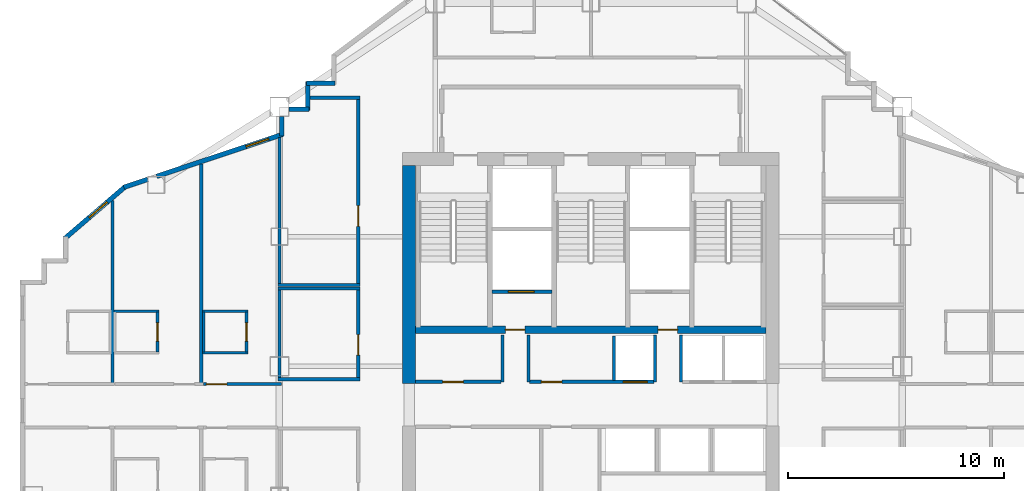
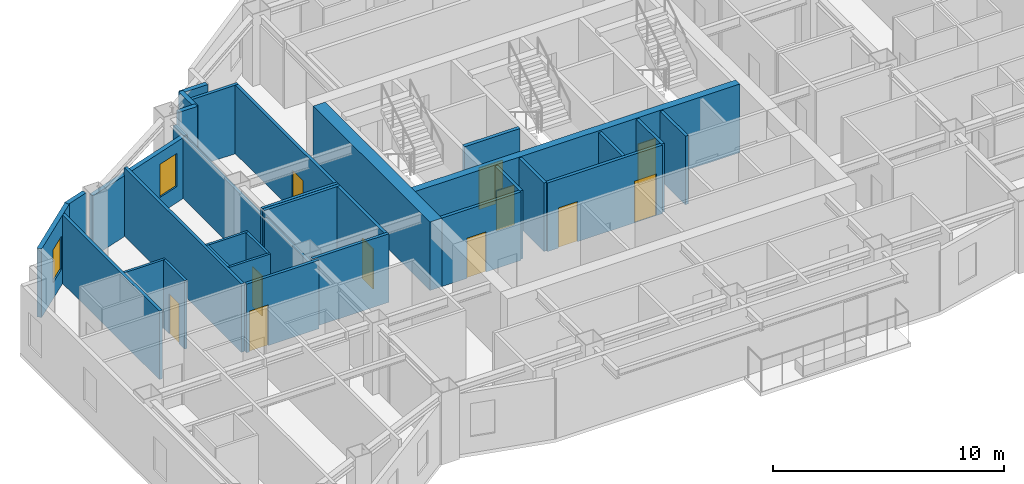
# One storey, part 6 of 11: 34 walls, 11 doors, 2 windows, 13 openings.
"""IFC4 building model written with IfcOpenShell, lengths in metres."""

from ifc_helpers import new_model, si_unit, direction, frame, frame_2d, origin, place, context, subcontext, project, spatial, rectangle, extrude, material, layer, layer_set, type_object, element, fill, save


model = new_model("IFC4")

# Units and contexts
model_context = context("Model", 3, precision=1e-05, world=origin(), true_north=direction((0.0, 1.0)))
body_context = subcontext(model_context, "Body", "Model", "MODEL_VIEW")
ifc_project = project(units=[si_unit("LENGTHUNIT", "METRE"), si_unit("AREAUNIT", "SQUARE_METRE"), si_unit("VOLUMEUNIT", "CUBIC_METRE"), si_unit("PLANEANGLEUNIT", "RADIAN"), si_unit("MASSUNIT", "GRAM", prefix="KILO")], contexts=[model_context])

# Site, building, storey
site_placement = place(None, origin())
site = spatial("IfcSite", under=ifc_project, at=site_placement, CompositionType="ELEMENT")
building_placement = place(site_placement, origin())
building = spatial("IfcBuilding", under=site, at=building_placement, Name="Haolan Belvedere Tower", CompositionType="ELEMENT")
storey_placement = place(building_placement, frame((0.0, 0.0, 223.0)))
storey = spatial("IfcBuildingStorey", under=building, at=storey_placement, Name="L56", CompositionType="ELEMENT", Elevation=223.0)

# Walls
ifc_material_1 = material(Name="Concrete C60/75", Category="concrete")
ifc_layer_1 = layer(ifc_material_1, 0.60009765625, Name="Concrete C60/75")
ifc_layer_set_1 = layer_set([ifc_layer_1], Name="Concrete C60/75")
wall_type_1 = type_object("IfcWallType", Name="WL-CORE-600", PredefinedType="SHEAR", material=ifc_layer_set_1)
wall_1_placement = place(storey_placement, frame((30.0, 32.800048828125, 0.0), z_axis=(0.0, 0.0, 1.0), x_axis=(0.0, 1.0, 0.0)))
element("IfcWall", 1, at=wall_1_placement, inside=storey, type_object=wall_type_1, Name="L56 central core shear wall WN", PredefinedType="SHEAR", context=body_context, shape_type="SweptSolid", body=[
    extrude(rectangle(XDim=10.099853515625, YDim=0.60009765625, at=frame_2d((5.0498046875, 0.0))), origin(), (0.0, 0.0, 1.0), 3.6201171875),
])
ifc_material_2 = material(Name="Precast concrete C40/50", Category="concrete")
ifc_layer_2 = layer(ifc_material_2, 0.219970703125, Name="Precast concrete C40/50")
ifc_layer_set_2 = layer_set([ifc_layer_2], Name="Precast concrete C40/50")
wall_type_2 = type_object("IfcWallType", Name="WL-EXT-220", PredefinedType="SOLIDWALL", material=ifc_layer_set_2)
for number, where, z_axis, x_axis, name in (
    (2, (26.56494140625, 46.68994140625, 0.0), (0.0, 0.0, 1.0), (-1.0, 0.0, 0.0), "L56 pale-metal exterior spandrel wall 25.1"),
    (3, (25.31005859375, 46.7451171875, 0.0), (0.0, 0.0, 1.0), (0.0, -1.0, 0.0), "L56 pale-metal exterior spandrel wall 26.1"),
):
    element("IfcWall", number, at=place(storey_placement, frame(where, z_axis=z_axis, x_axis=x_axis)), inside=storey, type_object=wall_type_2, Name=name, PredefinedType="SOLIDWALL", context=body_context, shape_type="SweptSolid", body=[
        extrude(rectangle(XDim=1.31005859375, YDim=0.219970703125, at=frame_2d((0.655029296875, 0.0))), origin(), (0.0, 0.0, 1.0), 3.6201171875),
    ])
wall_2_placement = place(storey_placement, frame((25.364990234375, 45.489990234375, 0.0), z_axis=(0.0, 0.0, 1.0), x_axis=(-1.0, 0.0, 0.0)))
element("IfcWall", 4, at=wall_2_placement, inside=storey, type_object=wall_type_2, Name="L56 pale-metal exterior spandrel wall 27.1", PredefinedType="SOLIDWALL", context=body_context, shape_type="SweptSolid", body=[
    extrude(rectangle(XDim=0.923095703125, YDim=0.219970703125, at=frame_2d((0.46142578125, 0.0))), origin(), (0.0, 0.0, 1.0), 3.6201171875),
])
wall_3_placement = place(storey_placement, frame((24.110107421875, 45.157958984375, 0.0), z_axis=(0.0, 0.0, 1.0), x_axis=(0.0, -1.0, 0.0)))
element("IfcWall", 5, at=wall_3_placement, inside=storey, type_object=wall_type_2, Name="L56 pale-metal exterior spandrel wall 28.1", PredefinedType="SOLIDWALL", context=body_context, shape_type="SweptSolid", body=[
    extrude(rectangle(XDim=0.892333984375, YDim=0.219970703125, at=frame_2d((0.4462890625, 0.0))), origin(), (0.0, 0.0, 1.0), 3.215087890625),
])

# Wall, opening, window
wall_4_placement = place(storey_placement, frame((24.162109375, 44.338134765625, 0.0), z_axis=(0.0, 0.0, 1.0), x_axis=(-0.948687265055, -0.316215864755, 0.0)))
wall_4 = element("IfcWall", 6, at=wall_4_placement, inside=storey, type_object=wall_type_2, Name="L56 pale-metal exterior spandrel wall 29.1", PredefinedType="SOLIDWALL", context=body_context, shape_type="SweptSolid", body=[
    extrude(rectangle(XDim=6.154052734375, YDim=0.219970703125, at=frame_2d((3.0771484375, 0.0))), origin(), (0.0, 0.0, 1.0), 3.215087890625),
])
opening_1_placement = place(wall_4_placement, frame((0.699951171875, 0.0, 0.85009765625)))
opening_1 = element("IfcOpeningElement", 7, at=opening_1_placement, cuts=wall_4, Name="Opening W-03", PredefinedType="OPENING", context=body_context, shape_type="SweptSolid", body=[
    extrude(rectangle(XDim=1.10009765625, YDim=1.75, at=frame_2d((0.550048828125, 0.875))), frame((0.0, 0.119873046875, 0.0), z_axis=(0.0, -1.0, 0.0), x_axis=(1.0, 0.0, 0.0)), (0.0, 0.0, 1.0), 0.239990234375),
])
ifc_material_3 = material(Name="Anodised aluminium 6063-T6 and Low-E glass", Category="aluminium")
window_type = type_object("IfcWindowType", Name="WN-DECO-Z3", PartitioningType="SINGLE_PANEL", PredefinedType="WINDOW", material=ifc_material_3)
window_1_placement = place(opening_1_placement, origin())
window_1 = element("IfcWindow", 8, at=window_1_placement, inside=storey, type_object=window_type, Name="L56 Art Deco chevron window 1", OverallHeight=1.75, OverallWidth=1.10009765625, PartitioningType="SINGLE_PANEL", PredefinedType="WINDOW", context=body_context, shape_type="SweptSolid", body=[
    extrude(rectangle(XDim=1.10009765625, YDim=1.75, at=frame_2d((0.550048828125, 0.875))), frame((0.0, 0.030029296875, 0.0), z_axis=(0.0, -1.0, 0.0), x_axis=(1.0, 0.0, 0.0)), (0.0, 0.0, 1.0), 0.06005859375),
])
fill(opening_1, window_1)

# Wall
wall_5_placement = place(storey_placement, frame((17.907958984375, 42.25341796875, 0.0), z_axis=(0.0, 0.0, 1.0), x_axis=(-0.948662335685, -0.316290646166, 0.0)))
element("IfcWall", 9, at=wall_5_placement, inside=storey, type_object=wall_type_2, Name="L56 pale-metal exterior spandrel wall 29.2", PredefinedType="SOLIDWALL", context=body_context, shape_type="SweptSolid", body=[
    extrude(rectangle(XDim=1.164794921875, YDim=0.219970703125, at=frame_2d((0.58251953125, 0.0))), origin(), (0.0, 0.0, 1.0), 3.6201171875),
])

# Wall, opening, window
wall_6_placement = place(storey_placement, frame((16.89697265625, 41.938232421875, 0.0), z_axis=(0.0, 0.0, 1.0), x_axis=(-0.759279729622, -0.650764390686, 0.0)))
wall_6 = element("IfcWall", 10, at=wall_6_placement, inside=storey, type_object=wall_type_2, Name="L56 pale-metal exterior spandrel wall 30.1", PredefinedType="SOLIDWALL", context=body_context, shape_type="SweptSolid", body=[
    extrude(rectangle(XDim=3.725830078125, YDim=0.219970703125, at=frame_2d((1.86279296875, 0.0))), origin(), (0.0, 0.0, 1.0), 3.6201171875),
])
opening_2_placement = place(wall_6_placement, frame((1.135009765625, 0.0, 0.85009765625)))
opening_2 = element("IfcOpeningElement", 11, at=opening_2_placement, cuts=wall_6, Name="Opening W-03", PredefinedType="OPENING", context=body_context, shape_type="SweptSolid", body=[
    extrude(rectangle(XDim=1.10009765625, YDim=1.75, at=frame_2d((0.550048828125, 0.875))), frame((0.0, 0.119873046875, 0.0), z_axis=(0.0, -1.0, 0.0), x_axis=(1.0, 0.0, 0.0)), (0.0, 0.0, 1.0), 0.239990234375),
])
window_2_placement = place(opening_2_placement, origin())
window_2 = element("IfcWindow", 12, at=window_2_placement, inside=storey, type_object=window_type, Name="L56 Art Deco chevron window 1", OverallHeight=1.75, OverallWidth=1.10009765625, PartitioningType="SINGLE_PANEL", PredefinedType="WINDOW", context=body_context, shape_type="SweptSolid", body=[
    extrude(rectangle(XDim=1.10009765625, YDim=1.75, at=frame_2d((0.550048828125, 0.875))), frame((0.0, 0.030029296875, 0.0), z_axis=(0.0, -1.0, 0.0), x_axis=(1.0, 0.0, 0.0)), (0.0, 0.0, 1.0), 0.06005859375),
])
fill(opening_2, window_2)

# Walls
ifc_material_4 = material(Name="Double gypsum acoustic stud partition", Category="masonry")
ifc_layer_3 = layer(ifc_material_4, 0.14990234375, Name="Double gypsum acoustic stud partition")
ifc_layer_set_3 = layer_set([ifc_layer_3], Name="Double gypsum acoustic stud partition")
wall_type_3 = type_object("IfcWallType", Name="WL-PART-150", PredefinedType="PARTITIONING", material=ifc_layer_set_3)
for number, where, z_axis, x_axis, name in (
    (13, (23.919921875, 37.199951171875, 0.0), (0.0, 0.0, 1.0), (1.0, 0.0, 0.0), "L56 interior partition IW-L56-HSK-N"),
    (14, (23.919921875, 33.0, 0.0), (0.0, 0.0, 1.0), (1.0, 0.0, 0.0), "L56 interior partition IW-L56-HSK-S"),
):
    element("IfcWall", number, at=place(storey_placement, frame(where, z_axis=z_axis, x_axis=x_axis)), inside=storey, type_object=wall_type_3, Name=name, PredefinedType="PARTITIONING", context=body_context, shape_type="SweptSolid", body=[
        extrude(rectangle(XDim=3.800048828125, YDim=0.14990234375, at=frame_2d((1.89990234375, 0.0))), origin(), (0.0, 0.0, 1.0), 3.6201171875),
    ])
wall_7_placement = place(storey_placement, frame((24.0, 33.06005859375, 0.0), z_axis=(0.0, 0.0, 1.0), x_axis=(0.0, 1.0, 0.0)))
element("IfcWall", 15, at=wall_7_placement, inside=storey, type_object=wall_type_3, Name="L56 interior partition IW-L56-HSK-W", PredefinedType="PARTITIONING", context=body_context, shape_type="SweptSolid", body=[
    extrude(rectangle(XDim=4.079833984375, YDim=0.14990234375, at=frame_2d((2.0400390625, 0.0))), origin(), (0.0, 0.0, 1.0), 3.215087890625),
])

# Wall, opening, door
wall_8_placement = place(storey_placement, frame((27.639892578125, 33.06005859375, 0.0), z_axis=(0.0, 0.0, 1.0), x_axis=(0.0, 1.0, 0.0)))
wall_8 = element("IfcWall", 16, at=wall_8_placement, inside=storey, type_object=wall_type_3, Name="L56 interior partition IW-L56-HSK-E", PredefinedType="PARTITIONING", context=body_context, shape_type="SweptSolid", body=[
    extrude(rectangle(XDim=4.079833984375, YDim=0.14990234375, at=frame_2d((2.0400390625, 0.0))), origin(), (0.0, 0.0, 1.0), 3.6201171875),
])
opening_3_placement = place(wall_8_placement, frame((2.010009765625, 0.0, 0.0), z_axis=(0.0, 0.0, 1.0), x_axis=(-1.0, 0.0, 0.0)))
opening_3 = element("IfcOpeningElement", 17, at=opening_3_placement, cuts=wall_8, Name="Opening ID-03", PredefinedType="OPENING", context=body_context, shape_type="SweptSolid", body=[
    extrude(rectangle(XDim=0.949951171875, YDim=2.1201171875, at=frame_2d((0.47509765625, 1.06005859375))), frame((0.0, 0.0849609375, 0.0), z_axis=(0.0, -1.0, 0.0), x_axis=(1.0, 0.0, 0.0)), (0.0, 0.0, 1.0), 0.169921875),
])
ifc_material_5 = material(Name="Painted solid-core timber", Category="wood")
door_type_1 = type_object("IfcDoorType", Name="DR-INT-950", OperationType="NOTDEFINED", PredefinedType="DOOR", material=ifc_material_5)
door_1_placement = place(opening_3_placement, origin())
door_1 = element("IfcDoor", 18, at=door_1_placement, inside=storey, type_object=door_type_1, Name="L56 door ID-L56-HSK", OperationType="SINGLE_SWING_LEFT", OverallHeight=2.1201171875, OverallWidth=0.949951171875, PredefinedType="DOOR", context=body_context, shape_type="SweptSolid", body=[
    extrude(rectangle(XDim=0.949951171875, YDim=2.1201171875, at=frame_2d((0.47509765625, 1.06005859375))), frame((0.0, 0.02490234375, 0.0), z_axis=(0.0, -1.0, 0.0), x_axis=(1.0, 0.0, 0.0)), (0.0, 0.0, 1.0), 0.050048828125),
])
fill(opening_3, door_1)

# Walls
wall_9_placement = place(storey_placement, frame((25.412109375, 46.02001953125, 0.0), z_axis=(0.0, 0.0, 1.0), x_axis=(1.0, 0.0, 0.0)))
element("IfcWall", 19, at=wall_9_placement, inside=storey, type_object=wall_type_3, Name="L56 interior partition IW-L56-MTG-N", PredefinedType="PARTITIONING", context=body_context, shape_type="SweptSolid", body=[
    extrude(rectangle(XDim=2.307861328125, YDim=0.14990234375, at=frame_2d((1.15380859375, 0.0))), origin(), (0.0, 0.0, 1.0), 3.6201171875),
])
wall_10_placement = place(storey_placement, frame((23.919921875, 37.360107421875, 0.0), z_axis=(0.0, 0.0, 1.0), x_axis=(1.0, 0.0, 0.0)))
element("IfcWall", 20, at=wall_10_placement, inside=storey, type_object=wall_type_3, Name="L56 interior partition IW-L56-MTG-S", PredefinedType="PARTITIONING", context=body_context, shape_type="SweptSolid", body=[
    extrude(rectangle(XDim=3.800048828125, YDim=0.14990234375, at=frame_2d((1.89990234375, 0.0))), origin(), (0.0, 0.0, 1.0), 3.6201171875),
])
wall_11_placement = place(storey_placement, frame((24.0, 37.419921875, 0.0), z_axis=(0.0, 0.0, 1.0), x_axis=(0.0, 1.0, 0.0)))
element("IfcWall", 21, at=wall_11_placement, inside=storey, type_object=wall_type_3, Name="L56 interior partition IW-L56-MTG-W", PredefinedType="PARTITIONING", context=body_context, shape_type="SweptSolid", body=[
    extrude(rectangle(XDim=6.756591796875, YDim=0.14990234375, at=frame_2d((3.37841796875, 0.0))), origin(), (0.0, 0.0, 1.0), 3.215087890625),
])

# Wall, opening, door
wall_12_placement = place(storey_placement, frame((27.639892578125, 37.419921875, 0.0), z_axis=(0.0, 0.0, 1.0), x_axis=(0.0, 1.0, 0.0)))
wall_12 = element("IfcWall", 22, at=wall_12_placement, inside=storey, type_object=wall_type_3, Name="L56 interior partition IW-L56-MTG-E", PredefinedType="PARTITIONING", context=body_context, shape_type="SweptSolid", body=[
    extrude(rectangle(XDim=8.5400390625, YDim=0.14990234375, at=frame_2d((4.27001953125, 0.0))), origin(), (0.0, 0.0, 1.0), 3.6201171875),
])
opening_4_placement = place(wall_12_placement, frame((3.60986328125, 0.0, 0.0), z_axis=(0.0, 0.0, 1.0), x_axis=(-1.0, 0.0, 0.0)))
opening_4 = element("IfcOpeningElement", 23, at=opening_4_placement, cuts=wall_12, Name="Opening ID-03", PredefinedType="OPENING", context=body_context, shape_type="SweptSolid", body=[
    extrude(rectangle(XDim=0.949951171875, YDim=2.1201171875, at=frame_2d((0.47509765625, 1.06005859375))), frame((0.0, 0.0849609375, 0.0), z_axis=(0.0, -1.0, 0.0), x_axis=(1.0, 0.0, 0.0)), (0.0, 0.0, 1.0), 0.169921875),
])
door_2_placement = place(opening_4_placement, origin())
door_2 = element("IfcDoor", 24, at=door_2_placement, inside=storey, type_object=door_type_1, Name="L56 door ID-L56-MTG", OperationType="SINGLE_SWING_RIGHT", OverallHeight=2.1201171875, OverallWidth=0.949951171875, PredefinedType="DOOR", context=body_context, shape_type="SweptSolid", body=[
    extrude(rectangle(XDim=0.949951171875, YDim=2.1201171875, at=frame_2d((0.47509765625, 1.06005859375))), frame((0.0, 0.02490234375, 0.0), z_axis=(0.0, -1.0, 0.0), x_axis=(1.0, 0.0, 0.0)), (0.0, 0.0, 1.0), 0.050048828125),
])
fill(opening_4, door_2)

# Walls
wall_13_placement = place(storey_placement, frame((16.280029296875, 32.840087890625, 0.0), z_axis=(0.0, 0.0, 1.0), x_axis=(0.0, 1.0, 0.0)))
element("IfcWall", 25, at=wall_13_placement, inside=storey, type_object=wall_type_3, Name="L56 interior partition IW-L56-T2N1-E", PredefinedType="PARTITIONING", context=body_context, shape_type="SweptSolid", body=[
    extrude(rectangle(XDim=8.43505859375, YDim=0.14990234375, at=frame_2d((4.217529296875, 0.0))), origin(), (0.0, 0.0, 1.0), 3.6201171875),
])
wall_14_placement = place(storey_placement, frame((20.3798828125, 32.840087890625, 0.0), z_axis=(0.0, 0.0, 1.0), x_axis=(0.0, 1.0, 0.0)))
element("IfcWall", 26, at=wall_14_placement, inside=storey, type_object=wall_type_3, Name="L56 interior partition IW-L56-T2N2-E", PredefinedType="PARTITIONING", context=body_context, shape_type="SweptSolid", body=[
    extrude(rectangle(XDim=10.1298828125, YDim=0.14990234375, at=frame_2d((5.06494140625, 0.0))), origin(), (0.0, 0.0, 1.0), 3.6201171875),
])

# Wall, opening, door
wall_15_placement = place(storey_placement, frame((20.48193359375, 32.780029296875, 0.0), z_axis=(0.0, 0.0, 1.0), x_axis=(1.0, 0.0, 0.0)))
wall_15 = element("IfcWall", 27, at=wall_15_placement, inside=storey, type_object=wall_type_3, Name="L56 interior partition IW-L56-T2N3-S", PredefinedType="PARTITIONING", context=body_context, shape_type="SweptSolid", body=[
    extrude(rectangle(XDim=3.6181640625, YDim=0.14990234375, at=frame_2d((1.80908203125, 0.0))), origin(), (0.0, 0.0, 1.0), 3.6201171875),
])
opening_5_placement = place(wall_15_placement, frame((0.139892578125, 0.0, 0.0)))
opening_5 = element("IfcOpeningElement", 28, at=opening_5_placement, cuts=wall_15, Name="Opening ID-02", PredefinedType="OPENING", context=body_context, shape_type="SweptSolid", body=[
    extrude(rectangle(XDim=0.949951171875, YDim=2.14990234375, at=frame_2d((0.47509765625, 1.074951171875))), frame((0.0, 0.0849609375, 0.0), z_axis=(0.0, -1.0, 0.0), x_axis=(1.0, 0.0, 0.0)), (0.0, 0.0, 1.0), 0.169921875),
])
ifc_material_6 = material(Name="Acoustic oak veneer fire-rated timber", Category="wood")
door_type_2 = type_object("IfcDoorType", Name="DR-GUEST-950", OperationType="NOTDEFINED", PredefinedType="DOOR", material=ifc_material_6)
door_3_placement = place(opening_5_placement, origin())
door_3 = element("IfcDoor", 29, at=door_3_placement, inside=storey, type_object=door_type_2, Name="L56 door ID-L56-T2N3-ENT", OperationType="SINGLE_SWING_RIGHT", OverallHeight=2.14990234375, OverallWidth=0.949951171875, PredefinedType="DOOR", context=body_context, shape_type="SweptSolid", body=[
    extrude(rectangle(XDim=0.949951171875, YDim=2.14990234375, at=frame_2d((0.47509765625, 1.074951171875))), frame((0.0, 0.02490234375, 0.0), z_axis=(0.0, -1.0, 0.0), x_axis=(1.0, 0.0, 0.0)), (0.0, 0.0, 1.0), 0.050048828125),
])
fill(opening_5, door_3)

# Walls
ifc_material_7 = material(Name="Gypsum fire shaftwall assembly", Category="masonry")
ifc_layer_4 = layer(ifc_material_7, 0.1650390625, Name="Gypsum fire shaftwall assembly")
ifc_layer_set_4 = layer_set([ifc_layer_4], Name="Gypsum fire shaftwall assembly")
wall_type_4 = type_object("IfcWallType", Name="WL-SHAFT-160", PredefinedType="SOLIDWALL", material=ifc_layer_set_4)
for number, where, z_axis, x_axis, name in (
    (30, (34.31005859375, 32.8798828125, 0.0), (0.0, 0.0, 1.0), (0.0, 1.0, 0.0), "L56 interior partition IW-L56-SVP-W-SV1"),
    (31, (35.510009765625, 32.8798828125, 0.0), (0.0, 0.0, 1.0), (0.0, 1.0, 0.0), "L56 interior partition IW-L56-SVP-E-SV1"),
    (32, (41.3701171875, 32.8798828125, 0.0), (0.0, 0.0, 1.0), (0.0, 1.0, 0.0), "L56 interior partition IW-L56-SVP-W-SV2"),
    (33, (42.570068359375, 32.8798828125, 0.0), (0.0, 0.0, 1.0), (0.0, 1.0, 0.0), "L56 interior partition IW-L56-SVP-E-SV2"),
):
    element("IfcWall", number, at=place(storey_placement, frame(where, z_axis=z_axis, x_axis=x_axis)), inside=storey, type_object=wall_type_4, Name=name, PredefinedType="SOLIDWALL", context=body_context, shape_type="SweptSolid", body=[
        extrude(rectangle(XDim=2.170166015625, YDim=0.14990234375, at=frame_2d((1.0849609375, 0.0))), origin(), (0.0, 0.0, 1.0), 3.6201171875),
    ])

# Wall, opening, door
wall_16_placement = place(storey_placement, frame((30.300048828125, 32.8798828125, 0.0), z_axis=(0.0, 0.0, 1.0), x_axis=(1.0, 0.0, 0.0)))
wall_16 = element("IfcWall", 34, at=wall_16_placement, inside=storey, type_object=wall_type_4, Name="L56 interior partition IW-L56-ROW-PN1", PredefinedType="SOLIDWALL", context=body_context, shape_type="SweptSolid", body=[
    extrude(rectangle(XDim=3.949951171875, YDim=0.159912109375, at=frame_2d((1.97509765625, 0.0))), origin(), (0.0, 0.0, 1.0), 3.6201171875),
])
opening_6_placement = place(wall_16_placement, frame((2.199951171875, 0.0, 0.0), z_axis=(0.0, 0.0, 1.0), x_axis=(-1.0, 0.0, 0.0)))
opening_6 = element("IfcOpeningElement", 35, at=opening_6_placement, cuts=wall_16, Name="Opening ID-03", PredefinedType="OPENING", context=body_context, shape_type="SweptSolid", body=[
    extrude(rectangle(XDim=0.949951171875, YDim=2.1201171875, at=frame_2d((0.47509765625, 1.06005859375))), frame((0.0, 0.08984375, 0.0), z_axis=(0.0, -1.0, 0.0), x_axis=(1.0, 0.0, 0.0)), (0.0, 0.0, 1.0), 0.179931640625),
])
door_4_placement = place(opening_6_placement, origin())
door_4 = element("IfcDoor", 36, at=door_4_placement, inside=storey, type_object=door_type_1, Name="L56 door ID-L56-CD-RPLW", OperationType="SINGLE_SWING_LEFT", OverallHeight=2.1201171875, OverallWidth=0.949951171875, PredefinedType="DOOR", context=body_context, shape_type="SweptSolid", body=[
    extrude(rectangle(XDim=0.949951171875, YDim=2.1201171875, at=frame_2d((0.47509765625, 1.06005859375))), frame((0.0, 0.02490234375, 0.0), z_axis=(0.0, -1.0, 0.0), x_axis=(1.0, 0.0, 0.0)), (0.0, 0.0, 1.0), 0.050048828125),
])
fill(opening_6, door_4)

# Wall, openings, doors
wall_17_placement = place(storey_placement, frame((35.570068359375, 32.8798828125, 0.0), z_axis=(0.0, 0.0, 1.0), x_axis=(1.0, 0.0, 0.0)))
wall_17 = element("IfcWall", 37, at=wall_17_placement, inside=storey, type_object=wall_type_4, Name="L56 interior partition IW-L56-ROW-PN2", PredefinedType="SOLIDWALL", context=body_context, shape_type="SweptSolid", body=[
    extrude(rectangle(XDim=5.739990234375, YDim=0.159912109375, at=frame_2d((2.8701171875, 0.0))), origin(), (0.0, 0.0, 1.0), 3.6201171875),
])
opening_7_placement = place(wall_17_placement, frame((1.489990234375, 0.0, 0.0), z_axis=(0.0, 0.0, 1.0), x_axis=(-1.0, 0.0, 0.0)))
opening_7 = element("IfcOpeningElement", 38, at=opening_7_placement, cuts=wall_17, Name="Opening ID-03", PredefinedType="OPENING", context=body_context, shape_type="SweptSolid", body=[
    extrude(rectangle(XDim=0.949951171875, YDim=2.1201171875, at=frame_2d((0.47509765625, 1.06005859375))), frame((0.0, 0.08984375, 0.0), z_axis=(0.0, -1.0, 0.0), x_axis=(1.0, 0.0, 0.0)), (0.0, 0.0, 1.0), 0.179931640625),
])
opening_8_placement = place(wall_17_placement, frame((5.43017578125, 0.0, 0.0), z_axis=(0.0, 0.0, 1.0), x_axis=(-1.0, 0.0, 0.0)))
opening_8 = element("IfcOpeningElement", 39, at=opening_8_placement, cuts=wall_17, Name="Opening LD-01", PredefinedType="OPENING", context=body_context, shape_type="SweptSolid", body=[
    extrude(rectangle(XDim=1.10009765625, YDim=2.199951171875, at=frame_2d((0.550048828125, 1.10009765625))), frame((0.0, 0.08984375, 0.0), z_axis=(0.0, -1.0, 0.0), x_axis=(1.0, 0.0, 0.0)), (0.0, 0.0, 1.0), 0.179931640625),
])
door_5_placement = place(opening_7_placement, origin())
door_5 = element("IfcDoor", 40, at=door_5_placement, inside=storey, type_object=door_type_1, Name="L56 door ID-L56-CD-RPLE", OperationType="SINGLE_SWING_RIGHT", OverallHeight=2.1201171875, OverallWidth=0.949951171875, PredefinedType="DOOR", context=body_context, shape_type="SweptSolid", body=[
    extrude(rectangle(XDim=0.949951171875, YDim=2.1201171875, at=frame_2d((0.47509765625, 1.06005859375))), frame((0.0, 0.02490234375, 0.0), z_axis=(0.0, -1.0, 0.0), x_axis=(1.0, 0.0, 0.0)), (0.0, 0.0, 1.0), 0.050048828125),
])
fill(opening_7, door_5)
ifc_material_8 = material(Name="Brushed champagne stainless steel 316L", Category="steel")
door_type_3 = type_object("IfcDoorType", Name="DR-LIFT-1100", OperationType="SLIDING_TO_LEFT", PredefinedType="DOOR", material=ifc_material_8)
door_6_placement = place(opening_8_placement, origin())
door_6 = element("IfcDoor", 41, at=door_6_placement, inside=storey, type_object=door_type_3, Name="L56 door ID-L56-LD-PH1", OperationType="SLIDING_TO_RIGHT", OverallHeight=2.199951171875, OverallWidth=1.10009765625, PredefinedType="DOOR", context=body_context, shape_type="SweptSolid", body=[
    extrude(rectangle(XDim=1.10009765625, YDim=2.199951171875, at=frame_2d((0.550048828125, 1.10009765625))), frame((0.0, 0.02490234375, 0.0), z_axis=(0.0, -1.0, 0.0), x_axis=(1.0, 0.0, 0.0)), (0.0, 0.0, 1.0), 0.050048828125),
])
fill(opening_8, door_6)

# Wall
wall_18_placement = place(storey_placement, frame((39.469970703125, 32.949951171875, 0.0), z_axis=(0.0, 0.0, 1.0), x_axis=(0.0, 1.0, 0.0)))
element("IfcWall", 42, at=wall_18_placement, inside=storey, type_object=wall_type_4, Name="L56 interior partition IW-L56-DIV-PL4R", PredefinedType="SOLIDWALL", context=body_context, shape_type="SweptSolid", body=[
    extrude(rectangle(XDim=2.050048828125, YDim=0.14990234375, at=frame_2d((1.02490234375, 0.0))), origin(), (0.0, 0.0, 1.0), 3.6201171875),
])

# Wall, opening, door
ifc_layer_5 = layer(ifc_material_2, 0.179931640625, Name="Precast concrete C40/50")
ifc_layer_set_5 = layer_set([ifc_layer_5], Name="Precast concrete C40/50")
wall_type_5 = type_object("IfcWallType", Name="WL-SHAFT-180", PredefinedType="SOLIDWALL", material=ifc_layer_set_5)
wall_19_placement = place(storey_placement, frame((33.8349609375, 37.050048828125, 0.0), z_axis=(0.0, 0.0, 1.0), x_axis=(1.0, 0.0, 0.0)))
wall_19 = element("IfcWall", 43, at=wall_19_placement, inside=storey, type_object=wall_type_5, Name="L56 interior partition IW-L56-SV1-S", PredefinedType="SOLIDWALL", context=body_context, shape_type="SweptSolid", body=[
    extrude(rectangle(XDim=2.77001953125, YDim=0.179931640625, at=frame_2d((1.385009765625, 0.0))), origin(), (0.0, 0.0, 1.0), 3.6201171875),
])
opening_9_placement = place(wall_19_placement, frame((1.945068359375, 0.0, 0.0), z_axis=(0.0, 0.0, 1.0), x_axis=(-1.0, 0.0, 0.0)))
opening_9 = element("IfcOpeningElement", 44, at=opening_9_placement, cuts=wall_19, Name="Opening LD-02", PredefinedType="OPENING", context=body_context, shape_type="SweptSolid", body=[
    extrude(rectangle(XDim=1.199951171875, YDim=2.199951171875, at=frame_2d((0.60009765625, 1.10009765625))), frame((0.0, 0.099853515625, 0.0), z_axis=(0.0, -1.0, 0.0), x_axis=(1.0, 0.0, 0.0)), (0.0, 0.0, 1.0), 0.199951171875),
])
door_type_4 = type_object("IfcDoorType", Name="DR-LIFT-1200", OperationType="SLIDING_TO_RIGHT", PredefinedType="DOOR", material=ifc_material_8)
door_7_placement = place(opening_9_placement, origin())
door_7 = element("IfcDoor", 45, at=door_7_placement, inside=storey, type_object=door_type_4, Name="L56 door ID-L56-LD-SV1", OperationType="SLIDING_TO_RIGHT", OverallHeight=2.199951171875, OverallWidth=1.199951171875, PredefinedType="DOOR", context=body_context, shape_type="SweptSolid", body=[
    extrude(rectangle(XDim=1.199951171875, YDim=2.199951171875, at=frame_2d((0.60009765625, 1.10009765625))), frame((0.0, 0.02490234375, 0.0), z_axis=(0.0, -1.0, 0.0), x_axis=(1.0, 0.0, 0.0)), (0.0, 0.0, 1.0), 0.050048828125),
])
fill(opening_9, door_7)

# Wall, openings, doors
ifc_layer_6 = layer(ifc_material_1, 0.360107421875, Name="Concrete C60/75")
ifc_layer_set_6 = layer_set([ifc_layer_6], Name="Concrete C60/75")
wall_type_6 = type_object("IfcWallType", Name="WL-WEB-350", PredefinedType="SHEAR", material=ifc_layer_set_6)
wall_20_placement = place(storey_placement, frame((30.300048828125, 35.2900390625, 0.0), z_axis=(0.0, 0.0, 1.0), x_axis=(1.0, 0.0, 0.0)))
wall_20 = element("IfcWall", 46, at=wall_20_placement, inside=storey, type_object=wall_type_6, Name="L56 central core internal shear web", PredefinedType="SHEAR", context=body_context, shape_type="SweptSolid", body=[
    extrude(rectangle(XDim=16.199951171875, YDim=0.360107421875, at=frame_2d((8.10009765625, 0.0))), origin(), (0.0, 0.0, 1.0), 3.6201171875),
])
opening_10_placement = place(wall_20_placement, frame((5.0498046875, 0.0, 0.0), z_axis=(0.0, 0.0, 1.0), x_axis=(-1.0, 0.0, 0.0)))
opening_10 = element("IfcOpeningElement", 47, at=opening_10_placement, cuts=wall_20, Name="Opening FD-05", PredefinedType="OPENING", context=body_context, shape_type="SweptSolid", body=[
    extrude(rectangle(XDim=0.89990234375, YDim=2.10009765625, at=frame_2d((0.449951171875, 1.050048828125))), frame((0.0, 0.18994140625, 0.0), z_axis=(0.0, -1.0, 0.0), x_axis=(1.0, 0.0, 0.0)), (0.0, 0.0, 1.0), 0.380126953125),
])
opening_11_placement = place(wall_20_placement, frame((12.10986328125, 0.0, 0.0), z_axis=(0.0, 0.0, 1.0), x_axis=(-1.0, 0.0, 0.0)))
opening_11 = element("IfcOpeningElement", 48, at=opening_11_placement, cuts=wall_20, Name="Opening FD-05", PredefinedType="OPENING", context=body_context, shape_type="SweptSolid", body=[
    extrude(rectangle(XDim=0.89990234375, YDim=2.10009765625, at=frame_2d((0.449951171875, 1.050048828125))), frame((0.0, 0.18994140625, 0.0), z_axis=(0.0, -1.0, 0.0), x_axis=(1.0, 0.0, 0.0)), (0.0, 0.0, 1.0), 0.380126953125),
])
ifc_material_9 = material(Name="Galvanised fire-rated steel", Category="steel")
door_type_5 = type_object("IfcDoorType", Name="DR-FD60-900", OperationType="NOTDEFINED", PredefinedType="DOOR", material=ifc_material_9)
door_8_placement = place(opening_10_placement, origin())
door_8 = element("IfcDoor", 49, at=door_8_placement, inside=storey, type_object=door_type_5, Name="L56 door CD-L56-SVL-SV1", OperationType="SINGLE_SWING_RIGHT", OverallHeight=2.10009765625, OverallWidth=0.89990234375, PredefinedType="DOOR", context=body_context, shape_type="SweptSolid", body=[
    extrude(rectangle(XDim=0.89990234375, YDim=2.10009765625, at=frame_2d((0.449951171875, 1.050048828125))), frame((0.0, 0.02490234375, 0.0), z_axis=(0.0, -1.0, 0.0), x_axis=(1.0, 0.0, 0.0)), (0.0, 0.0, 1.0), 0.050048828125),
])
fill(opening_10, door_8)
door_9_placement = place(opening_11_placement, origin())
door_9 = element("IfcDoor", 50, at=door_9_placement, inside=storey, type_object=door_type_5, Name="L56 door CD-L56-SVL-SV2", OperationType="SINGLE_SWING_RIGHT", OverallHeight=2.10009765625, OverallWidth=0.89990234375, PredefinedType="DOOR", context=body_context, shape_type="SweptSolid", body=[
    extrude(rectangle(XDim=0.89990234375, YDim=2.10009765625, at=frame_2d((0.449951171875, 1.050048828125))), frame((0.0, 0.02490234375, 0.0), z_axis=(0.0, -1.0, 0.0), x_axis=(1.0, 0.0, 0.0)), (0.0, 0.0, 1.0), 0.050048828125),
])
fill(opening_11, door_9)

# Wall
ifc_material_10 = material(Name="Moisture-resistant gypsum tile partition", Category="masonry")
ifc_layer_7 = layer(ifc_material_10, 0.1201171875, Name="Moisture-resistant gypsum tile partition")
ifc_layer_set_7 = layer_set([ifc_layer_7], Name="Moisture-resistant gypsum tile partition")
wall_type_7 = type_object("IfcWallType", Name="WL-WET-120", PredefinedType="PARTITIONING", material=ifc_layer_set_7)
wall_21_placement = place(storey_placement, frame((16.340087890625, 36.14990234375, 0.0), z_axis=(0.0, 0.0, 1.0), x_axis=(1.0, 0.0, 0.0)))
element("IfcWall", 51, at=wall_21_placement, inside=storey, type_object=wall_type_7, Name="L56 interior partition IW-L56-T2N2-BN", PredefinedType="PARTITIONING", context=body_context, shape_type="SweptSolid", body=[
    extrude(rectangle(XDim=2.079833984375, YDim=0.1201171875, at=frame_2d((1.0400390625, 0.0))), origin(), (0.0, 0.0, 1.0), 3.6201171875),
])

# Wall, opening, door
wall_22_placement = place(storey_placement, frame((18.360107421875, 34.27490234375, 0.0), z_axis=(0.0, 0.0, 1.0), x_axis=(0.0, 1.0, 0.0)))
wall_22 = element("IfcWall", 52, at=wall_22_placement, inside=storey, type_object=wall_type_7, Name="L56 interior partition IW-L56-T2N2-BE", PredefinedType="PARTITIONING", context=body_context, shape_type="SweptSolid", body=[
    extrude(rectangle(XDim=1.830078125, YDim=0.1201171875, at=frame_2d((0.9150390625, 0.0))), origin(), (0.0, 0.0, 1.0), 3.6201171875),
])
opening_12_placement = place(wall_22_placement, frame((0.489990234375, 0.0, 0.0)))
opening_12 = element("IfcOpeningElement", 53, at=opening_12_placement, cuts=wall_22, Name="Opening ID-05", PredefinedType="OPENING", context=body_context, shape_type="SweptSolid", body=[
    extrude(rectangle(XDim=0.85009765625, YDim=2.10009765625, at=frame_2d((0.425048828125, 1.050048828125))), frame((0.0, 0.070068359375, 0.0), z_axis=(0.0, -1.0, 0.0), x_axis=(1.0, 0.0, 0.0)), (0.0, 0.0, 1.0), 0.14013671875),
])
ifc_material_11 = material(Name="Moisture-resistant lacquered timber", Category="wood")
door_type_6 = type_object("IfcDoorType", Name="DR-BATH-850", OperationType="NOTDEFINED", PredefinedType="DOOR", material=ifc_material_11)
door_10_placement = place(opening_12_placement, origin())
door_10 = element("IfcDoor", 54, at=door_10_placement, inside=storey, type_object=door_type_6, Name="L56 door ID-L56-T2N2-BATH", OperationType="SINGLE_SWING_RIGHT", OverallHeight=2.10009765625, OverallWidth=0.85009765625, PredefinedType="DOOR", context=body_context, shape_type="SweptSolid", body=[
    extrude(rectangle(XDim=0.85009765625, YDim=2.10009765625, at=frame_2d((0.425048828125, 1.050048828125))), frame((0.0, 0.02490234375, 0.0), z_axis=(0.0, -1.0, 0.0), x_axis=(1.0, 0.0, 0.0)), (0.0, 0.0, 1.0), 0.050048828125),
])
fill(opening_12, door_10)

# Walls
for number, where, z_axis, x_axis, name in (
    (55, (20.43994140625, 36.14990234375, 0.0), (0.0, 0.0, 1.0), (1.0, 0.0, 0.0), "L56 interior partition IW-L56-T2N3-BN"),
    (56, (20.43994140625, 34.22998046875, 0.0), (0.0, 0.0, 1.0), (1.0, 0.0, 0.0), "L56 interior partition IW-L56-T2N3-BS"),
):
    element("IfcWall", number, at=place(storey_placement, frame(where, z_axis=z_axis, x_axis=x_axis)), inside=storey, type_object=wall_type_7, Name=name, PredefinedType="PARTITIONING", context=body_context, shape_type="SweptSolid", body=[
        extrude(rectangle(XDim=2.09423828125, YDim=0.1201171875, at=frame_2d((1.047119140625, 0.0))), origin(), (0.0, 0.0, 1.0), 3.6201171875),
    ])
wall_23_placement = place(storey_placement, frame((20.494140625, 34.27490234375, 0.0), z_axis=(0.0, 0.0, 1.0), x_axis=(0.0, 1.0, 0.0)))
element("IfcWall", 57, at=wall_23_placement, inside=storey, type_object=wall_type_7, Name="L56 interior partition IW-L56-T2N3-BW", PredefinedType="PARTITIONING", context=body_context, shape_type="SweptSolid", body=[
    extrude(rectangle(XDim=1.830078125, YDim=0.1201171875, at=frame_2d((0.9150390625, 0.0))), origin(), (0.0, 0.0, 1.0), 3.6201171875),
])

# Wall, opening, door
wall_24_placement = place(storey_placement, frame((22.47412109375, 34.27490234375, 0.0), z_axis=(0.0, 0.0, 1.0), x_axis=(0.0, 1.0, 0.0)))
wall_24 = element("IfcWall", 58, at=wall_24_placement, inside=storey, type_object=wall_type_7, Name="L56 interior partition IW-L56-T2N3-BE", PredefinedType="PARTITIONING", context=body_context, shape_type="SweptSolid", body=[
    extrude(rectangle(XDim=1.830078125, YDim=0.1201171875, at=frame_2d((0.9150390625, 0.0))), origin(), (0.0, 0.0, 1.0), 3.6201171875),
])
opening_13_placement = place(wall_24_placement, frame((0.489990234375, 0.0, 0.0)))
opening_13 = element("IfcOpeningElement", 59, at=opening_13_placement, cuts=wall_24, Name="Opening ID-05", PredefinedType="OPENING", context=body_context, shape_type="SweptSolid", body=[
    extrude(rectangle(XDim=0.85009765625, YDim=2.10009765625, at=frame_2d((0.425048828125, 1.050048828125))), frame((0.0, 0.070068359375, 0.0), z_axis=(0.0, -1.0, 0.0), x_axis=(1.0, 0.0, 0.0)), (0.0, 0.0, 1.0), 0.14013671875),
])
door_11_placement = place(opening_13_placement, origin())
door_11 = element("IfcDoor", 60, at=door_11_placement, inside=storey, type_object=door_type_6, Name="L56 door ID-L56-T2N3-BATH", OperationType="SINGLE_SWING_LEFT", OverallHeight=2.10009765625, OverallWidth=0.85009765625, PredefinedType="DOOR", context=body_context, shape_type="SweptSolid", body=[
    extrude(rectangle(XDim=0.85009765625, YDim=2.10009765625, at=frame_2d((0.425048828125, 1.050048828125))), frame((0.0, 0.02490234375, 0.0), z_axis=(0.0, -1.0, 0.0), x_axis=(1.0, 0.0, 0.0)), (0.0, 0.0, 1.0), 0.050048828125),
])
fill(opening_13, door_11)

save(model, "model.ifc")
